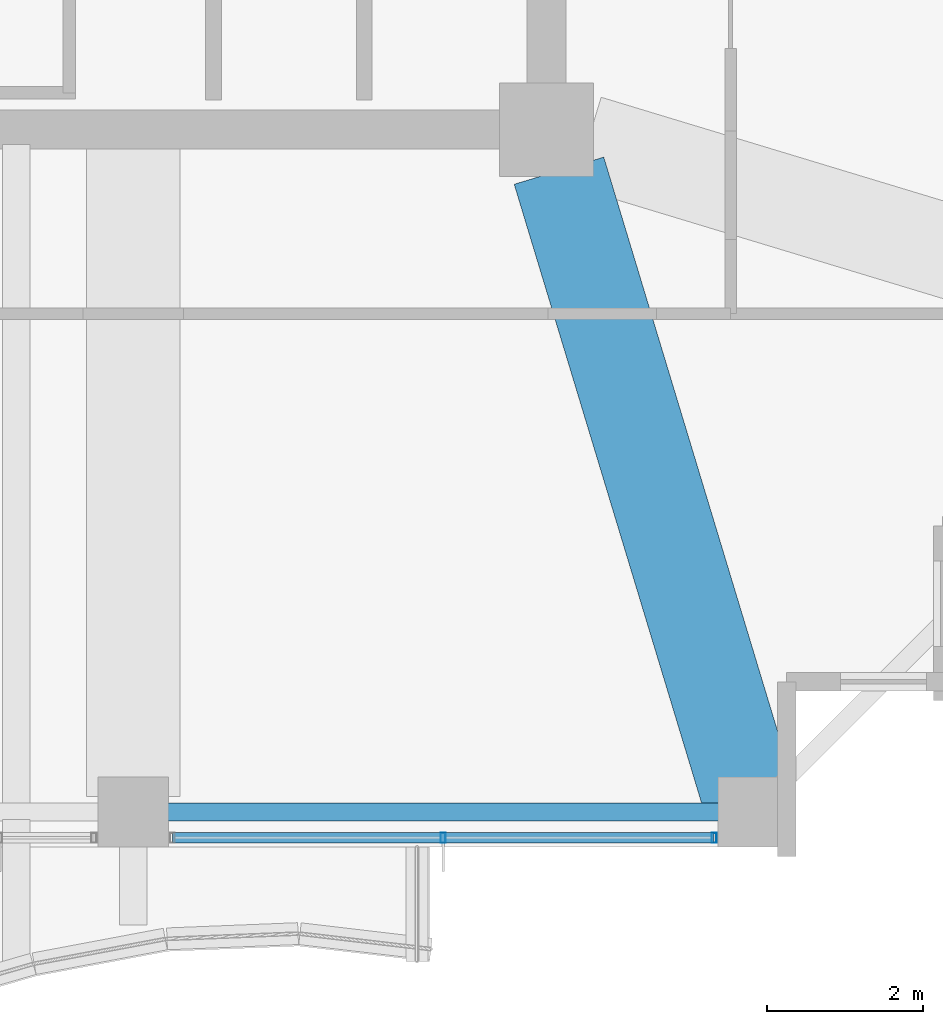
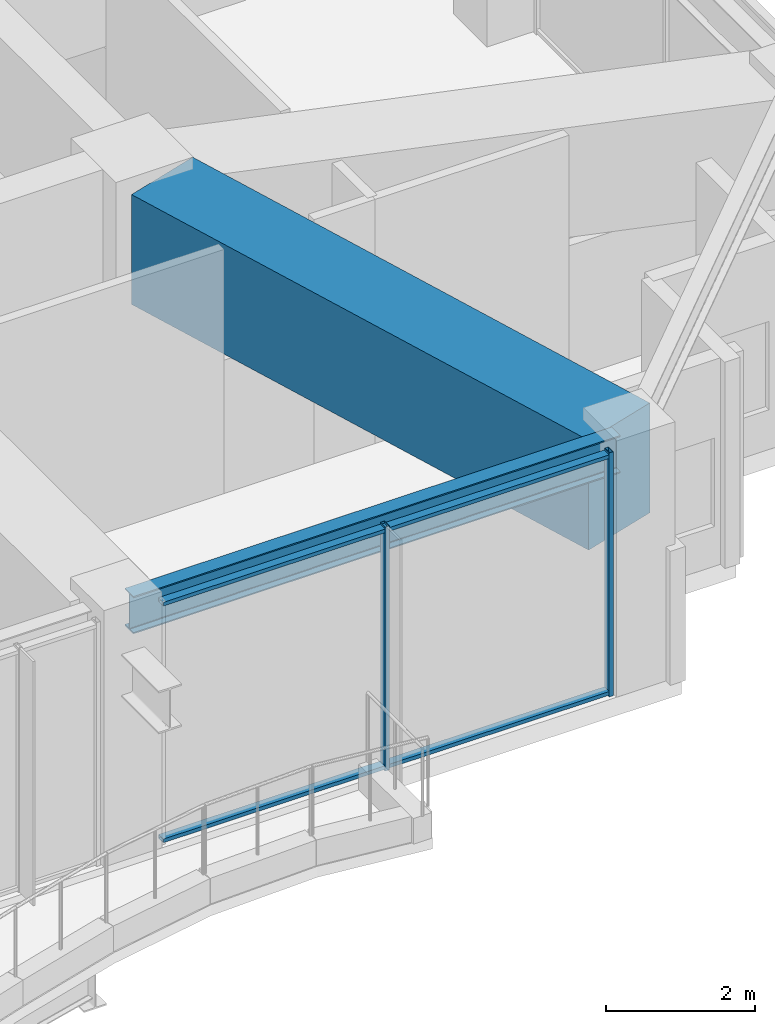
# One storey, part 7 of 33: 4 members, 2 beams, 1 element without a shape of its own.
"""IFC4 building model written with IfcOpenShell, lengths in metres."""

from ifc_helpers import new_model, si_unit, direction, frame, origin, origin_2d, place, context, subcontext, project, spatial, rectangle, hollow_rectangle, i_section, extrude, material, material_profile, profile_set, type_object, element, aggregate, save


model = new_model("IFC4")

# Units and contexts
model_context = context("Model", 3, precision=1e-05, world=origin(), true_north=direction((0.0, 1.0)))
body_context = subcontext(model_context, "Body", "Model", "MODEL_VIEW")
ifc_project = project(units=[si_unit("LENGTHUNIT", "METRE"), si_unit("AREAUNIT", "SQUARE_METRE"), si_unit("VOLUMEUNIT", "CUBIC_METRE"), si_unit("PLANEANGLEUNIT", "RADIAN"), si_unit("MASSUNIT", "GRAM", prefix="KILO")], contexts=[model_context])

# Site, building, storey
site_placement = place(None, origin())
site = spatial("IfcSite", under=ifc_project, at=site_placement, CompositionType="ELEMENT")
building_placement = place(site_placement, origin())
building = spatial("IfcBuilding", under=site, at=building_placement, Name="Kolvaren Belvedere", CompositionType="ELEMENT")
storey_placement = place(building_placement, frame((0.0, 0.0, 152.699951171875)))
storey = spatial("IfcBuildingStorey", under=building, at=storey_placement, Name="L44", CompositionType="ELEMENT", Elevation=152.699951171875)

# Beams
ifc_material_1 = material(Name="Structural steel ASTM A992 Grade 50", Category="steel")
ifc_material_profile_1 = material_profile(ifc_material_1, i_section(OverallWidth=0.22900390625, OverallDepth=0.612060546875, WebThickness=0.011962890625, FlangeThickness=0.01953125, FilletRadius=0.01806640625, at=origin_2d()), Name="W24X84")
ifc_profile_set_1 = profile_set([ifc_material_profile_1], Name="Structural steel ASTM A992 Grade 50")
beam_type_1 = type_object("IfcBeamType", Name="BM-SPAN-W24X84", PredefinedType="SPANDREL", material=ifc_profile_set_1)
beam_1_placement = place(storey_placement, frame((4.802490234375, -18.64990234375, 3.694091796875), z_axis=(1.0, 0.0, 0.0), x_axis=(0.0, 1.0, 0.0)))
element("IfcBeam", 1, at=beam_1_placement, inside=storey, type_object=beam_type_1, Name="L44 Perimeter Spandrel S3-S4", PredefinedType="SPANDREL", context=body_context, shape_type="SweptSolid", body=[
    extrude(i_section(OverallWidth=0.22900390625, OverallDepth=0.612060546875, WebThickness=0.011962890625, FlangeThickness=0.01953125, FilletRadius=0.01806640625, at=origin_2d()), origin(), (0.0, 0.0, 1.0), 7.544921875),
])
ifc_material_2 = material(Name="Concrete C50/60", Category="concrete")
ifc_material_profile_2 = material_profile(ifc_material_2, rectangle(XDim=1.199951171875, YDim=1.800048828125, at=origin_2d()), Name="RC 1200X1800")
ifc_profile_set_2 = profile_set([ifc_material_profile_2], Name="Concrete C50/60")
beam_type_2 = type_object("IfcBeamType", Name="BM-TG-1800", PredefinedType="BEAM", material=ifc_profile_set_2)
beam_2_placement = place(storey_placement, frame((10.059326171875, -10.426513671875, 3.10009765625), z_axis=(0.289865629086, -0.957067352423, 0.0), x_axis=(0.957067352423, 0.289865629086, 0.0)))
element("IfcBeam", 2, at=beam_2_placement, inside=storey, type_object=beam_type_2, Name="L44 Corner Core-to-Perimeter Girder CC2-S4", PredefinedType="BEAM", context=body_context, shape_type="SweptSolid", body=[
    extrude(rectangle(XDim=1.199951171875, YDim=1.800048828125, at=origin_2d()), origin(), (0.0, 0.0, 1.0), 8.412353515625),
])

# Curtain wall, members
ifc_material_3 = material(Name="Anodised pale-metal aluminium AA 6063-T6", Category="aluminium")
curtain_wall_type = type_object("IfcCurtainWallType", Name="CW-Z3-WAIST", PredefinedType="NOTDEFINED", material=ifc_material_3)
curtain_wall_placement = place(storey_placement, origin())
curtain_wall = element("IfcCurtainWall", 3, at=curtain_wall_placement, inside=storey, type_object=curtain_wall_type, Name="L44 Unitised Curtain Wall FCW-L44-S1-B1", PredefinedType="NOTDEFINED")
ifc_material_4 = material(Name="Anodised pale-metal aluminium AA 6063-T6", Category="aluminium")
ifc_material_profile_3 = material_profile(ifc_material_4, hollow_rectangle(XDim=0.06494140625, YDim=0.1298828125, WallThickness=0.00390625, at=origin_2d()), Name="ALU-MUL-130X65")
ifc_profile_set_3 = profile_set([ifc_material_profile_3], Name="Anodised pale-metal aluminium AA 6063-T6")
member_type_1 = type_object("IfcMemberType", Name="CW-MUL-130", PredefinedType="MULLION", material=ifc_profile_set_3)
member_1_placement = place(storey_placement, frame((12.047607421875, -18.97998046875, 0.0), z_axis=(0.0, 0.0, 1.0), x_axis=(1.0, 0.0, 0.0)))
member_1 = element("IfcMember", 4, at=member_1_placement, type_object=member_type_1, Name="FCW-L44-S1-B1 Unitised Mullion 1", PredefinedType="MULLION", context=body_context, shape_type="SweptSolid", body=[
    extrude(hollow_rectangle(XDim=0.06494140625, YDim=0.1298828125, WallThickness=0.00390625, at=origin_2d()), origin(), (0.0, 0.0, 1.0), 4.0),
])
member_2_placement = place(storey_placement, frame((8.574951171875, -18.97998046875, 0.0), z_axis=(0.0, 0.0, 1.0), x_axis=(1.0, 0.0, 0.0)))
member_2 = element("IfcMember", 5, at=member_2_placement, type_object=member_type_1, Name="FCW-L44-S1-B1 Unitised Mullion 2", PredefinedType="MULLION", context=body_context, shape_type="SweptSolid", body=[
    extrude(hollow_rectangle(XDim=0.06494140625, YDim=0.1298828125, WallThickness=0.00390625, at=origin_2d()), origin(), (0.0, 0.0, 1.0), 4.0),
])
ifc_material_5 = material(Name="Anodised pale-metal aluminium AA 6063-T6", Category="aluminium")
ifc_material_profile_4 = material_profile(ifc_material_5, hollow_rectangle(XDim=0.06005859375, YDim=0.1298828125, WallThickness=0.00390625, at=origin_2d()), Name="ALU-TRN-130X60")
ifc_profile_set_4 = profile_set([ifc_material_profile_4], Name="Anodised pale-metal aluminium AA 6063-T6")
member_type_2 = type_object("IfcMemberType", Name="CW-TRN-130", PredefinedType="USERDEFINED", material=ifc_profile_set_4)
member_3_placement = place(storey_placement, frame((12.047607421875, -18.97998046875, 0.06005859375), z_axis=(-1.0, 0.0, 0.0), x_axis=(0.0, 0.0, 1.0)))
member_3 = element("IfcMember", 6, at=member_3_placement, type_object=member_type_2, Name="FCW-L44-S1-B1 Sill Transom", ObjectType="TRANSOM", PredefinedType="USERDEFINED", context=body_context, shape_type="SweptSolid", body=[
    extrude(hollow_rectangle(XDim=0.06005859375, YDim=0.1298828125, WallThickness=0.00390625, at=origin_2d()), origin(), (0.0, 0.0, 1.0), 6.945068359375),
])
member_4_placement = place(storey_placement, frame((12.047607421875, -18.97998046875, 3.93994140625), z_axis=(-1.0, 0.0, 0.0), x_axis=(0.0, 0.0, 1.0)))
member_4 = element("IfcMember", 7, at=member_4_placement, type_object=member_type_2, Name="FCW-L44-S1-B1 Head Transom", ObjectType="TRANSOM", PredefinedType="USERDEFINED", context=body_context, shape_type="SweptSolid", body=[
    extrude(hollow_rectangle(XDim=0.06005859375, YDim=0.1298828125, WallThickness=0.00390625, at=origin_2d()), origin(), (0.0, 0.0, 1.0), 6.945068359375),
])
aggregate(curtain_wall, [member_1, member_2, member_3, member_4])

save(model, "model.ifc")
